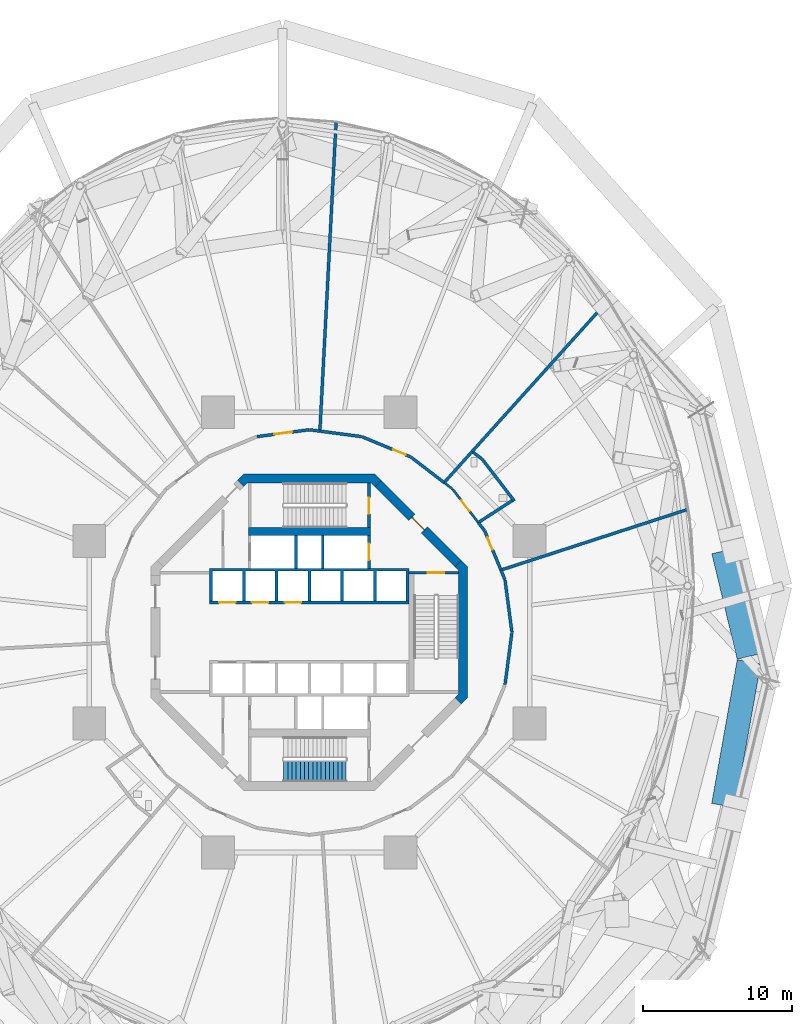
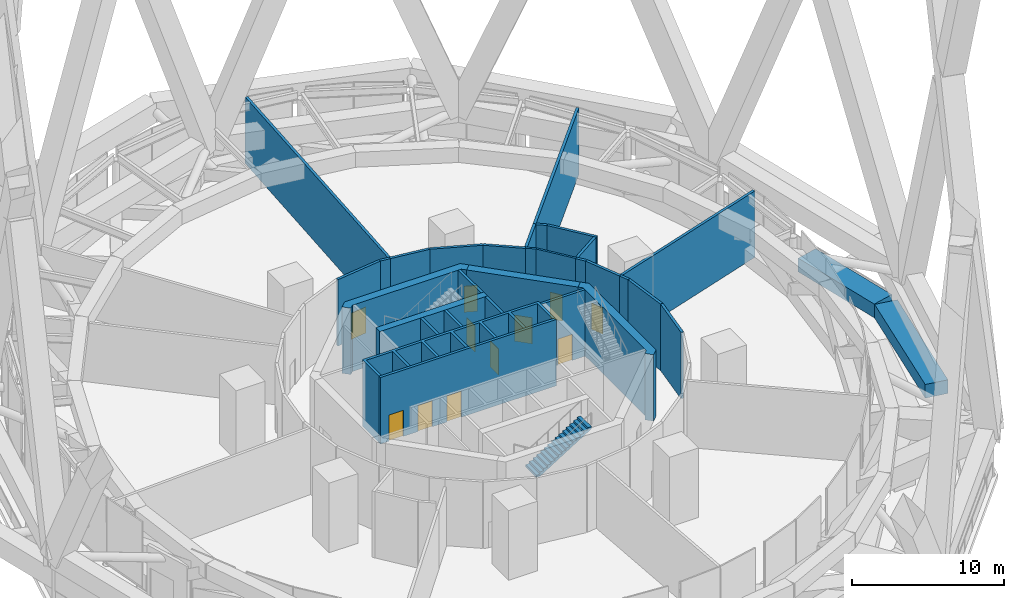
# One storey, part 55 of 65: 32 walls, 11 doors, 1 stair flight, 11 openings, 1 element without a shape of its own.
"""IFC4 building model written with IfcOpenShell, lengths in metres."""

from ifc_helpers import new_model, si_unit, direction, frame, frame_2d, origin, place, context, subcontext, project, spatial, polyline, rectangle, outline, extrude, material, layer, layer_set, type_object, element, fill, aggregate, save


model = new_model("IFC4")

# Units and contexts
model_context = context("Model", 3, precision=1e-05, world=origin(), true_north=direction((0.0, 1.0)))
body_context = subcontext(model_context, "Body", "Model", "MODEL_VIEW")
ifc_project = project(units=[si_unit("LENGTHUNIT", "METRE"), si_unit("AREAUNIT", "SQUARE_METRE"), si_unit("VOLUMEUNIT", "CUBIC_METRE"), si_unit("PLANEANGLEUNIT", "RADIAN"), si_unit("MASSUNIT", "GRAM", prefix="KILO")], contexts=[model_context])

# Site, building, storey
site_placement = place(None, origin())
site = spatial("IfcSite", under=ifc_project, at=site_placement, CompositionType="ELEMENT")
building_placement = place(site_placement, origin())
building = spatial("IfcBuilding", under=site, at=building_placement, Name="Nagisa Residences", CompositionType="ELEMENT")
storey_placement = place(building_placement, frame((0.0, 0.0, 114.0)))
storey = spatial("IfcBuildingStorey", under=building, at=storey_placement, Name="L28", CompositionType="ELEMENT", Elevation=114.0)

# Wall, opening, door
ifc_material_1 = material(Name="Concrete C60", Category="concrete")
ifc_layer_1 = layer(ifc_material_1, 0.60009765625)
ifc_layer_set_1 = layer_set([ifc_layer_1], Name="Core shear wall 600")
wall_type_1 = type_object("IfcWallType", Name="Core shear wall 600", PredefinedType="SHEAR", material=ifc_layer_set_1)
wall_1_placement = place(storey_placement, frame((9.98828125, 4.613037109375, 0.0), z_axis=(0.0, 0.0, 1.0), x_axis=(-0.707106781187, 0.707106781187, 0.0)))
wall_1 = element("IfcWall", 1, at=wall_1_placement, inside=storey, type_object=wall_type_1, Name="wall:L28:core:flat1", PredefinedType="SHEAR", context=body_context, shape_type="SweptSolid", body=[
    extrude(rectangle(XDim=7.601806640625, YDim=0.60009765625, at=frame_2d((3.80078125, 0.0))), origin(), (0.0, 0.0, 1.0), 5.340087890625),
])
opening_1_placement = place(wall_1_placement, frame((3.200927734375, 0.0, 0.0)))
opening_1 = element("IfcOpeningElement", 2, at=opening_1_placement, cuts=wall_1, Name="Opening L28-C15", PredefinedType="OPENING", context=body_context, shape_type="SweptSolid", body=[
    extrude(rectangle(XDim=1.199951171875, YDim=2.10009765625, at=frame_2d((0.60009765625, 1.050048828125))), frame((0.0, 0.31005859375, 0.0), z_axis=(0.0, -1.0, 0.0), x_axis=(1.0, 0.0, 0.0)), (0.0, 0.0, 1.0), 0.6201171875),
])
ifc_material_2 = material(Name="Steel fire door", Category="steel")
door_type_1 = type_object("IfcDoorType", Name="Fire door EI60 1200x2100 single swing", OperationType="NOTDEFINED", PredefinedType="DOOR", material=ifc_material_2)
door_1_placement = place(opening_1_placement, origin())
door_1 = element("IfcDoor", 3, at=door_1_placement, inside=storey, type_object=door_type_1, Name="Firefighting lobby 1 door L28", OperationType="SINGLE_SWING_RIGHT", OverallHeight=2.10009765625, OverallWidth=1.199951171875, PredefinedType="DOOR", context=body_context, shape_type="SweptSolid", body=[
    extrude(rectangle(XDim=1.199951171875, YDim=2.10009765625, at=frame_2d((0.60009765625, 1.050048828125))), frame((0.0, 0.02490234375, 0.0), z_axis=(0.0, -1.0, 0.0), x_axis=(1.0, 0.0, 0.0)), (0.0, 0.0, 1.0), 0.050048828125),
])
fill(opening_1, door_1)

# Walls
wall_2_placement = place(storey_placement, origin())
element("IfcWall", 4, at=wall_2_placement, inside=storey, type_object=wall_type_1, Name="wall:L28:core:flat2", PredefinedType="SHEAR", context=body_context, shape_type="SweptSolid", body=[
    extrude(outline(polyline([(-4.15234375, 10.024658203125), (-4.40087890625, 9.776123046875), (-4.8251953125, 10.200439453125), (-4.40087890625, 10.62451171875), (4.40087890625, 10.62451171875), (4.8251953125, 10.200439453125), (4.40087890625, 9.776123046875), (4.15234375, 10.024658203125), (-4.15234375, 10.024658203125)])), origin(), (0.0, 0.0, 1.0), 5.340087890625),
])
wall_3_placement = place(storey_placement, origin())
element("IfcWall", 5, at=wall_3_placement, inside=storey, type_object=wall_type_1, Name="wall:L28:core:flat0", PredefinedType="SHEAR", context=body_context, shape_type="SweptSolid", body=[
    extrude(outline(polyline([(9.776123046875, -4.40087890625), (10.024658203125, -4.15234375), (10.024658203125, -3.801025390625), (10.024658203125, 4.15234375), (9.776123046875, 4.40087890625), (10.200439453125, 4.8251953125), (10.62451171875, 4.40087890625), (10.62451171875, -4.40087890625), (10.200439453125, -4.8251953125), (9.776123046875, -4.40087890625)])), origin(), (0.0, 0.0, 1.0), 5.340087890625),
])

# Wall, opening, door
ifc_material_3 = material(Name="Concrete C60", Category="concrete")
ifc_layer_2 = layer(ifc_material_3, 0.199951171875)
ifc_layer_set_2 = layer_set([ifc_layer_2], Name="Lift shaft wall 200")
wall_type_2 = type_object("IfcWallType", Name="Lift shaft wall 200", PredefinedType="SOLIDWALL", material=ifc_layer_set_2)
wall_4_placement = place(storey_placement, frame((4.0, 4.300048828125, 0.0), z_axis=(0.0, 0.0, 1.0), x_axis=(0.0, 1.0, 0.0)))
wall_4 = element("IfcWall", 6, at=wall_4_placement, inside=storey, type_object=wall_type_2, Name="wall:L28:Nb3", PredefinedType="SOLIDWALL", context=body_context, shape_type="SweptSolid", body=[
    extrude(rectangle(XDim=2.199951171875, YDim=0.199951171875, at=frame_2d((1.10009765625, 0.0))), origin(), (0.0, 0.0, 1.0), 5.340087890625),
])
opening_2_placement = place(wall_4_placement, frame((0.550048828125, 0.0, 0.0)))
opening_2 = element("IfcOpeningElement", 7, at=opening_2_placement, cuts=wall_4, Name="Opening L28-C06", PredefinedType="OPENING", context=body_context, shape_type="SweptSolid", body=[
    extrude(rectangle(XDim=1.10009765625, YDim=2.10009765625, at=frame_2d((0.550048828125, 1.050048828125))), frame((0.0, 0.10986328125, 0.0), z_axis=(0.0, -1.0, 0.0), x_axis=(1.0, 0.0, 0.0)), (0.0, 0.0, 1.0), 0.219970703125),
])
ifc_material_4 = material(Name="Stainless steel", Category="steel")
door_type_2 = type_object("IfcDoorType", Name="Lift landing door 1100x2100", OperationType="DOUBLE_DOOR_SLIDING", PredefinedType="DOOR", material=ifc_material_4)
door_2_placement = place(opening_2_placement, origin())
door_2 = element("IfcDoor", 8, at=door_2_placement, inside=storey, type_object=door_type_2, Name="Landing door FL1 L28", OperationType="DOUBLE_DOOR_SLIDING", OverallHeight=2.10009765625, OverallWidth=1.10009765625, PredefinedType="DOOR", context=body_context, shape_type="SweptSolid", body=[
    extrude(rectangle(XDim=1.10009765625, YDim=2.10009765625, at=frame_2d((0.550048828125, 1.050048828125))), frame((0.0, 0.02490234375, 0.0), z_axis=(0.0, -1.0, 0.0), x_axis=(1.0, 0.0, 0.0)), (0.0, 0.0, 1.0), 0.050048828125),
])
fill(opening_2, door_2)

# Wall, openings, doors
wall_5_placement = place(storey_placement, frame((-6.699951171875, 2.0, 0.0), z_axis=(0.0, 0.0, 1.0), x_axis=(1.0, 0.0, 0.0)))
wall_5 = element("IfcWall", 9, at=wall_5_placement, inside=storey, type_object=wall_type_2, Name="wall:L28:Nfront", PredefinedType="SOLIDWALL", context=body_context, shape_type="SweptSolid", body=[
    extrude(rectangle(XDim=13.39990234375, YDim=0.199951171875, at=frame_2d((6.699951171875, 0.0))), origin(), (0.0, 0.0, 1.0), 5.340087890625),
])
opening_3_placement = place(wall_5_placement, frame((0.64990234375, 0.0, 0.0)))
opening_3 = element("IfcOpeningElement", 10, at=opening_3_placement, cuts=wall_5, Name="Opening L28-C01", PredefinedType="OPENING", context=body_context, shape_type="SweptSolid", body=[
    extrude(rectangle(XDim=1.10009765625, YDim=2.10009765625, at=frame_2d((0.550048828125, 1.050048828125))), frame((0.0, 0.10986328125, 0.0), z_axis=(0.0, -1.0, 0.0), x_axis=(1.0, 0.0, 0.0)), (0.0, 0.0, 1.0), 0.219970703125),
])
opening_4_placement = place(wall_5_placement, frame((2.85009765625, 0.0, 0.0)))
opening_4 = element("IfcOpeningElement", 11, at=opening_4_placement, cuts=wall_5, Name="Opening L28-C02", PredefinedType="OPENING", context=body_context, shape_type="SweptSolid", body=[
    extrude(rectangle(XDim=1.10009765625, YDim=2.10009765625, at=frame_2d((0.550048828125, 1.050048828125))), frame((0.0, 0.10986328125, 0.0), z_axis=(0.0, -1.0, 0.0), x_axis=(1.0, 0.0, 0.0)), (0.0, 0.0, 1.0), 0.219970703125),
])
opening_5_placement = place(wall_5_placement, frame((5.050048828125, 0.0, 0.0)))
opening_5 = element("IfcOpeningElement", 12, at=opening_5_placement, cuts=wall_5, Name="Opening L28-C03", PredefinedType="OPENING", context=body_context, shape_type="SweptSolid", body=[
    extrude(rectangle(XDim=1.10009765625, YDim=2.10009765625, at=frame_2d((0.550048828125, 1.050048828125))), frame((0.0, 0.10986328125, 0.0), z_axis=(0.0, -1.0, 0.0), x_axis=(1.0, 0.0, 0.0)), (0.0, 0.0, 1.0), 0.219970703125),
])
door_3_placement = place(opening_3_placement, origin())
door_3 = element("IfcDoor", 13, at=door_3_placement, inside=storey, type_object=door_type_2, Name="Landing door A1 L28", OperationType="DOUBLE_DOOR_SLIDING", OverallHeight=2.10009765625, OverallWidth=1.10009765625, PredefinedType="DOOR", context=body_context, shape_type="SweptSolid", body=[
    extrude(rectangle(XDim=1.10009765625, YDim=2.10009765625, at=frame_2d((0.550048828125, 1.050048828125))), frame((0.0, 0.02490234375, 0.0), z_axis=(0.0, -1.0, 0.0), x_axis=(1.0, 0.0, 0.0)), (0.0, 0.0, 1.0), 0.050048828125),
])
fill(opening_3, door_3)
door_4_placement = place(opening_4_placement, origin())
door_4 = element("IfcDoor", 14, at=door_4_placement, inside=storey, type_object=door_type_2, Name="Landing door A2 L28", OperationType="DOUBLE_DOOR_SLIDING", OverallHeight=2.10009765625, OverallWidth=1.10009765625, PredefinedType="DOOR", context=body_context, shape_type="SweptSolid", body=[
    extrude(rectangle(XDim=1.10009765625, YDim=2.10009765625, at=frame_2d((0.550048828125, 1.050048828125))), frame((0.0, 0.02490234375, 0.0), z_axis=(0.0, -1.0, 0.0), x_axis=(1.0, 0.0, 0.0)), (0.0, 0.0, 1.0), 0.050048828125),
])
fill(opening_4, door_4)
door_5_placement = place(opening_5_placement, origin())
door_5 = element("IfcDoor", 15, at=door_5_placement, inside=storey, type_object=door_type_2, Name="Landing door A3 L28", OperationType="DOUBLE_DOOR_SLIDING", OverallHeight=2.10009765625, OverallWidth=1.10009765625, PredefinedType="DOOR", context=body_context, shape_type="SweptSolid", body=[
    extrude(rectangle(XDim=1.10009765625, YDim=2.10009765625, at=frame_2d((0.550048828125, 1.050048828125))), frame((0.0, 0.02490234375, 0.0), z_axis=(0.0, -1.0, 0.0), x_axis=(1.0, 0.0, 0.0)), (0.0, 0.0, 1.0), 0.050048828125),
])
fill(opening_5, door_5)

# Walls
for number, where, z_axis, x_axis, name in (
    (16, (-0.89990234375, 4.300048828125, 0.0), (0.0, 0.0, 1.0), (0.0, 1.0, 0.0), "wall:L28:Nb1"),
    (17, (0.89990234375, 4.300048828125, 0.0), (0.0, 0.0, 1.0), (0.0, 1.0, 0.0), "wall:L28:Nb2"),
):
    element("IfcWall", number, at=place(storey_placement, frame(where, z_axis=z_axis, x_axis=x_axis)), inside=storey, type_object=wall_type_2, Name=name, PredefinedType="SOLIDWALL", context=body_context, shape_type="SweptSolid", body=[
        extrude(rectangle(XDim=2.199951171875, YDim=0.199951171875, at=frame_2d((1.10009765625, 0.0))), origin(), (0.0, 0.0, 1.0), 5.340087890625),
    ])
wall_6_placement = place(storey_placement, origin())
element("IfcWall", 18, at=wall_6_placement, inside=storey, type_object=wall_type_2, Name="wall:L28:Nback", PredefinedType="SOLIDWALL", context=body_context, shape_type="SweptSolid", body=[
    extrude(outline(polyline([(-6.5, 2.10009765625), (-6.699951171875, 2.10009765625), (-6.699951171875, 4.300048828125), (6.699951171875, 4.300048828125), (6.699951171875, 2.10009765625), (6.5, 2.10009765625), (6.5, 4.10009765625), (4.5, 4.10009765625), (4.5, 2.10009765625), (4.300048828125, 2.10009765625), (4.300048828125, 4.10009765625), (2.300048828125, 4.10009765625), (2.300048828125, 2.10009765625), (2.10009765625, 2.10009765625), (2.10009765625, 4.10009765625), (0.10009765625, 4.10009765625), (0.10009765625, 2.10009765625), (-0.10009765625, 2.10009765625), (-0.10009765625, 4.10009765625), (-2.10009765625, 4.10009765625), (-2.10009765625, 2.10009765625), (-2.300048828125, 2.10009765625), (-2.300048828125, 4.10009765625), (-4.300048828125, 4.10009765625), (-4.300048828125, 2.10009765625), (-4.5, 2.10009765625), (-4.5, 4.10009765625), (-6.5, 4.10009765625), (-6.5, 2.10009765625)])), origin(), (0.0, 0.0, 1.0), 5.340087890625),
])
ifc_material_5 = material(Name="Precast concrete C30/37", Category="concrete")
ifc_layer_3 = layer(ifc_material_5, 1.60009765625)
ifc_layer_set_3 = layer_set([ifc_layer_3], Name="PLANTER")
wall_type_3 = type_object("IfcWallType", Name="PLANTER", PredefinedType="SOLIDWALL", material=ifc_layer_set_3)
wall_7_placement = place(storey_placement, frame((27.79833984375, 5.459716796875, 0.0), z_axis=(0.0, 0.0, 1.0), x_axis=(0.234079069097, -0.972217562797, 0.0)))
element("IfcWall", 19, at=wall_7_placement, inside=storey, type_object=wall_type_3, Name="planter:L28:deck017", PredefinedType="SOLIDWALL", context=body_context, shape_type="SweptSolid", body=[
    extrude(rectangle(XDim=7.283203125, YDim=1.60009765625, at=frame_2d((3.6416015625, 0.0))), origin(), (0.0, 0.0, 1.0), 1.10009765625),
])
wall_8_placement = place(storey_placement, frame((29.514404296875, -1.98779296875, 0.0), z_axis=(0.0, 0.0, 1.0), x_axis=(-0.175200973349, -0.984532690639, 0.0)))
element("IfcWall", 20, at=wall_8_placement, inside=storey, type_object=wall_type_3, Name="planter:L28:deck018", PredefinedType="SOLIDWALL", context=body_context, shape_type="SweptSolid", body=[
    extrude(rectangle(XDim=9.787841796875, YDim=1.60009765625, at=frame_2d((4.89404296875, 0.0))), origin(), (0.0, 0.0, 1.0), 1.10009765625),
])

# Wall, opening, door
ifc_material_6 = material(Name="Gypsum board on steel studs", Category="steel")
ifc_layer_4 = layer(ifc_material_6, 0.199951171875)
ifc_layer_set_4 = layer_set([ifc_layer_4], Name="Plant room wall EI120 200")
wall_type_4 = type_object("IfcWallType", Name="Plant room wall EI120 200", PredefinedType="PARTITIONING", material=ifc_layer_set_4)
wall_9_placement = place(storey_placement, frame((-3.5048828125, 13.138671875, 0.0), z_axis=(0.0, 0.0, 1.0), x_axis=(0.991452406768, 0.130468866457, 0.0)))
wall_9 = element("IfcWall", 21, at=wall_9_placement, inside=storey, type_object=wall_type_4, Name="wall:L28:am025", PredefinedType="PARTITIONING", context=body_context, shape_type="SweptSolid", body=[
    extrude(rectangle(XDim=3.519775390625, YDim=0.199951171875, at=frame_2d((1.759765625, 0.0))), origin(), (0.0, 0.0, 1.0), 5.340087890625),
])
opening_6_placement = place(wall_9_placement, frame((1.159912109375, 0.0, 0.0)))
opening_6 = element("IfcOpeningElement", 22, at=opening_6_placement, cuts=wall_9, Name="Opening L28-A04", PredefinedType="OPENING", context=body_context, shape_type="SweptSolid", body=[
    extrude(rectangle(XDim=1.199951171875, YDim=2.10009765625, at=frame_2d((0.60009765625, 1.050048828125))), frame((0.0, 0.10986328125, 0.0), z_axis=(0.0, -1.0, 0.0), x_axis=(1.0, 0.0, 0.0)), (0.0, 0.0, 1.0), 0.219970703125),
])
ifc_material_7 = material(Name="Steel fire door", Category="steel")
door_type_3 = type_object("IfcDoorType", Name="Fire door EI120 1200x2100 single swing", OperationType="NOTDEFINED", PredefinedType="DOOR", material=ifc_material_7)
door_6_placement = place(opening_6_placement, frame((1.199951171875, 0.0, 0.0), x_axis=(-1.0, 0.0, 0.0)))
door_6 = element("IfcDoor", 23, at=door_6_placement, inside=storey, type_object=door_type_3, Name="Refuge room 2 door", OperationType="SINGLE_SWING_LEFT", OverallHeight=2.10009765625, OverallWidth=1.199951171875, PredefinedType="DOOR", context=body_context, shape_type="SweptSolid", body=[
    extrude(rectangle(XDim=1.199951171875, YDim=2.10009765625, at=frame_2d((0.60009765625, 1.050048828125))), frame((0.0, 0.02490234375, 0.0), z_axis=(0.0, -1.0, 0.0), x_axis=(1.0, 0.0, 0.0)), (0.0, 0.0, 1.0), 0.050048828125),
])
fill(opening_6, door_6)

# Walls
wall_10_placement = place(storey_placement, frame((0.01513671875, 13.597900390625, 0.0), z_axis=(0.0, 0.0, 1.0), x_axis=(0.991473310532, -0.130309917135, 0.0)))
element("IfcWall", 24, at=wall_10_placement, inside=storey, type_object=wall_type_4, Name="wall:L28:am027", PredefinedType="PARTITIONING", context=body_context, shape_type="SweptSolid", body=[
    extrude(rectangle(XDim=0.69873046875, YDim=0.199951171875, at=frame_2d((0.349365234375, 0.0))), origin(), (0.0, 0.0, 1.0), 5.340087890625),
])
wall_11_placement = place(storey_placement, frame((0.713134765625, 13.60693359375, 0.0), z_axis=(0.0, 0.0, 1.0), x_axis=(0.05234202654, 0.998629216605, 0.0)))
element("IfcWall", 25, at=wall_11_placement, inside=storey, type_object=wall_type_4, Name="wall:L28:am028", PredefinedType="PARTITIONING", context=body_context, shape_type="SweptSolid", body=[
    extrude(rectangle(XDim=20.686279296875, YDim=0.199951171875, at=frame_2d((10.34326171875, 0.0))), origin(), (0.0, 0.0, 1.0), 5.340087890625),
])
wall_12_placement = place(storey_placement, frame((0.7080078125, 13.5068359375, 0.0), z_axis=(0.0, 0.0, 1.0), x_axis=(0.991447224467, -0.130508241489, 0.0)))
element("IfcWall", 26, at=wall_12_placement, inside=storey, type_object=wall_type_4, Name="wall:L28:am029", PredefinedType="PARTITIONING", context=body_context, shape_type="SweptSolid", body=[
    extrude(rectangle(XDim=2.821044921875, YDim=0.199951171875, at=frame_2d((1.41064453125, 0.0))), origin(), (0.0, 0.0, 1.0), 5.340087890625),
])

# Wall, opening, door
wall_13_placement = place(storey_placement, frame((3.533935546875, 13.130859375, 0.0), z_axis=(0.0, 0.0, 1.0), x_axis=(0.92386297064, -0.382723413813, 0.0)))
wall_13 = element("IfcWall", 27, at=wall_13_placement, inside=storey, type_object=wall_type_4, Name="wall:L28:am033", PredefinedType="PARTITIONING", context=body_context, shape_type="SweptSolid", body=[
    extrude(rectangle(XDim=3.52001953125, YDim=0.199951171875, at=frame_2d((1.760009765625, 0.0))), origin(), (0.0, 0.0, 1.0), 5.340087890625),
])
opening_7_placement = place(wall_13_placement, frame((2.277587890625, 0.0, 0.0)))
opening_7 = element("IfcOpeningElement", 28, at=opening_7_placement, cuts=wall_13, Name="Opening L28-A03", PredefinedType="OPENING", context=body_context, shape_type="SweptSolid", body=[
    extrude(rectangle(XDim=0.89990234375, YDim=2.10009765625, at=frame_2d((0.449951171875, 1.050048828125))), frame((0.0, 0.10986328125, 0.0), z_axis=(0.0, -1.0, 0.0), x_axis=(1.0, 0.0, 0.0)), (0.0, 0.0, 1.0), 0.219970703125),
])
ifc_material_8 = material(Name="Steel fire door", Category="steel")
door_type_4 = type_object("IfcDoorType", Name="Fire door EI120 900x2100 single swing", OperationType="NOTDEFINED", PredefinedType="DOOR", material=ifc_material_8)
door_7_placement = place(opening_7_placement, origin())
door_7 = element("IfcDoor", 29, at=door_7_placement, inside=storey, type_object=door_type_4, Name="Smoke control plant room door", OperationType="SINGLE_SWING_LEFT", OverallHeight=2.10009765625, OverallWidth=0.89990234375, PredefinedType="DOOR", context=body_context, shape_type="SweptSolid", body=[
    extrude(rectangle(XDim=0.89990234375, YDim=2.10009765625, at=frame_2d((0.449951171875, 1.050048828125))), frame((0.0, 0.02490234375, 0.0), z_axis=(0.0, -1.0, 0.0), x_axis=(1.0, 0.0, 0.0)), (0.0, 0.0, 1.0), 0.050048828125),
])
fill(opening_7, door_7)

# Walls
wall_14_placement = place(storey_placement, frame((6.81201171875, 11.7685546875, 0.0), z_axis=(0.0, 0.0, 1.0), x_axis=(0.793389024662, -0.608714921409, 0.0)))
element("IfcWall", 30, at=wall_14_placement, inside=storey, type_object=wall_type_4, Name="wall:L28:am035", PredefinedType="PARTITIONING", context=body_context, shape_type="SweptSolid", body=[
    extrude(rectangle(XDim=2.821044921875, YDim=0.199951171875, at=frame_2d((1.41064453125, 0.0))), origin(), (0.0, 0.0, 1.0), 5.340087890625),
])
wall_15_placement = place(storey_placement, frame((9.117431640625, 10.125732421875, 0.0), z_axis=(0.0, 0.0, 1.0), x_axis=(0.669134044303, 0.743141729925, 0.0)))
element("IfcWall", 31, at=wall_15_placement, inside=storey, type_object=wall_type_4, Name="wall:L28:am036", PredefinedType="PARTITIONING", context=body_context, shape_type="SweptSolid", body=[
    extrude(rectangle(XDim=2.708251953125, YDim=0.199951171875, at=frame_2d((1.35400390625, 0.0))), origin(), (0.0, 0.0, 1.0), 5.340087890625),
])
wall_16_placement = place(storey_placement, frame((11.00927734375, 12.077392578125, 0.0), z_axis=(0.0, 0.0, 1.0), x_axis=(0.793279942729, -0.608857070636, 0.0)))
element("IfcWall", 32, at=wall_16_placement, inside=storey, type_object=wall_type_4, Name="wall:L28:am040", PredefinedType="PARTITIONING", context=body_context, shape_type="SweptSolid", body=[
    extrude(rectangle(XDim=0.74658203125, YDim=0.199951171875, at=frame_2d((0.373291015625, 0.0))), origin(), (0.0, 0.0, 1.0), 5.340087890625),
])
wall_17_placement = place(storey_placement, frame((10.9296875, 12.138427734375, 0.0), z_axis=(0.0, 0.0, 1.0), x_axis=(0.669115860496, 0.743158102447, 0.0)))
element("IfcWall", 33, at=wall_17_placement, inside=storey, type_object=wall_type_4, Name="wall:L28:am041", PredefinedType="PARTITIONING", context=body_context, shape_type="SweptSolid", body=[
    extrude(rectangle(XDim=13.654296875, YDim=0.199951171875, at=frame_2d((6.8271484375, 0.0))), origin(), (0.0, 0.0, 1.0), 5.340087890625),
])
wall_18_placement = place(storey_placement, frame((11.34326171875, 7.366455078125, 0.0), z_axis=(0.0, 0.0, 1.0), x_axis=(0.608629566887, -0.793454504248, 0.0)))
element("IfcWall", 34, at=wall_18_placement, inside=storey, type_object=wall_type_4, Name="wall:L28:am042", PredefinedType="PARTITIONING", context=body_context, shape_type="SweptSolid", body=[
    extrude(rectangle(XDim=0.69873046875, YDim=0.199951171875, at=frame_2d((0.349365234375, 0.0))), origin(), (0.0, 0.0, 1.0), 5.340087890625),
])
wall_19_placement = place(storey_placement, frame((11.622802734375, 11.6015625, 0.0), z_axis=(0.0, 0.0, 1.0), x_axis=(0.608732263815, -0.79337571868, 0.0)))
element("IfcWall", 35, at=wall_19_placement, inside=storey, type_object=wall_type_4, Name="wall:L28:am043", PredefinedType="PARTITIONING", context=body_context, shape_type="SweptSolid", body=[
    extrude(rectangle(XDim=3.510498046875, YDim=0.199951171875, at=frame_2d((1.75537109375, 0.0))), origin(), (0.0, 0.0, 1.0), 5.340087890625),
])

# Wall, opening, door
wall_20_placement = place(storey_placement, frame((11.78369140625, 6.785888671875, 0.0), z_axis=(0.0, 0.0, 1.0), x_axis=(0.382703393834, -0.923871263948, 0.0)))
wall_20 = element("IfcWall", 36, at=wall_20_placement, inside=storey, type_object=wall_type_4, Name="wall:L28:am045", PredefinedType="PARTITIONING", context=body_context, shape_type="SweptSolid", body=[
    extrude(rectangle(XDim=2.821044921875, YDim=0.199951171875, at=frame_2d((1.41064453125, 0.0))), origin(), (0.0, 0.0, 1.0), 5.340087890625),
])
opening_8_placement = place(wall_20_placement, frame((0.4501953125, 0.0, 0.0)))
opening_8 = element("IfcOpeningElement", 37, at=opening_8_placement, cuts=wall_20, Name="Opening L28-A02", PredefinedType="OPENING", context=body_context, shape_type="SweptSolid", body=[
    extrude(rectangle(XDim=0.89990234375, YDim=2.10009765625, at=frame_2d((0.449951171875, 1.050048828125))), frame((0.0, 0.10986328125, 0.0), z_axis=(0.0, -1.0, 0.0), x_axis=(1.0, 0.0, 0.0)), (0.0, 0.0, 1.0), 0.219970703125),
])
door_8_placement = place(opening_8_placement, frame((0.89990234375, 0.0, 0.0), x_axis=(-1.0, 0.0, 0.0)))
door_8 = element("IfcDoor", 38, at=door_8_placement, inside=storey, type_object=door_type_4, Name="Refuge room 1 door", OperationType="SINGLE_SWING_LEFT", OverallHeight=2.10009765625, OverallWidth=0.89990234375, PredefinedType="DOOR", context=body_context, shape_type="SweptSolid", body=[
    extrude(rectangle(XDim=0.89990234375, YDim=2.10009765625, at=frame_2d((0.449951171875, 1.050048828125))), frame((0.0, 0.02490234375, 0.0), z_axis=(0.0, -1.0, 0.0), x_axis=(1.0, 0.0, 0.0)), (0.0, 0.0, 1.0), 0.050048828125),
])
fill(opening_8, door_8)

# Walls
wall_21_placement = place(storey_placement, frame((12.86328125, 4.1796875, 0.0), z_axis=(0.0, 0.0, 1.0), x_axis=(0.382804207305, -0.923829496644, 0.0)))
element("IfcWall", 39, at=wall_21_placement, inside=storey, type_object=wall_type_4, Name="wall:L28:am046", PredefinedType="PARTITIONING", context=body_context, shape_type="SweptSolid", body=[
    extrude(rectangle(XDim=0.698974609375, YDim=0.199951171875, at=frame_2d((0.349609375, 0.0))), origin(), (0.0, 0.0, 1.0), 5.340087890625),
])
for number, where, z_axis, x_axis, name in (
    (40, (13.138671875, 3.5048828125, 0.0), (0.0, 0.0, 1.0), (0.130468866457, -0.991452406768, 0.0), "wall:L28:am048"),
    (41, (13.597900390625, -0.01513671875, 0.0), (0.0, 0.0, 1.0), (-0.130468866457, -0.991452406768, 0.0), "wall:L28:am049"),
):
    element("IfcWall", number, at=place(storey_placement, frame(where, z_axis=z_axis, x_axis=x_axis)), inside=storey, type_object=wall_type_4, Name=name, PredefinedType="PARTITIONING", context=body_context, shape_type="SweptSolid", body=[
        extrude(rectangle(XDim=3.519775390625, YDim=0.199951171875, at=frame_2d((1.759765625, 0.0))), origin(), (0.0, 0.0, 1.0), 5.340087890625),
    ])
wall_22_placement = place(storey_placement, frame((13.61474609375, 8.841552734375, 0.0), z_axis=(0.0, 0.0, 1.0), x_axis=(-0.838672390671, -0.544636228254, 0.0)))
element("IfcWall", 42, at=wall_22_placement, inside=storey, type_object=wall_type_4, Name="wall:L28:am050", PredefinedType="PARTITIONING", context=body_context, shape_type="SweptSolid", body=[
    extrude(rectangle(XDim=2.60791015625, YDim=0.199951171875, at=frame_2d((1.303955078125, 0.0))), origin(), (0.0, 0.0, 1.0), 5.340087890625),
])
wall_23_placement = place(storey_placement, frame((25.379150390625, 8.24609375, 0.0), z_axis=(0.0, 0.0, 1.0), x_axis=(-0.951061815969, -0.309000683181, 0.0)))
element("IfcWall", 43, at=wall_23_placement, inside=storey, type_object=wall_type_4, Name="wall:L28:am051", PredefinedType="PARTITIONING", context=body_context, shape_type="SweptSolid", body=[
    extrude(rectangle(XDim=13.0595703125, YDim=0.199951171875, at=frame_2d((6.52978515625, 0.0))), origin(), (0.0, 0.0, 1.0), 5.340087890625),
])
ifc_material_9 = material(Name="Gypsum board on steel studs", Category="steel")
ifc_layer_5 = layer(ifc_material_9, 0.14990234375)
ifc_layer_set_5 = layer_set([ifc_layer_5], Name="Room partition EI60 150")
wall_type_5 = type_object("IfcWallType", Name="Room partition EI60 150", PredefinedType="PARTITIONING", material=ifc_layer_set_5)
wall_24_placement = place(storey_placement, frame((9.05029296875, 10.05126953125, 0.0), z_axis=(0.0, 0.0, 1.0), x_axis=(0.793399175387, -0.608701690893, 0.0)))
element("IfcWall", 44, at=wall_24_placement, inside=storey, type_object=wall_type_5, Name="wall:L28:am002", PredefinedType="PARTITIONING", context=body_context, shape_type="SweptSolid", body=[
    extrude(rectangle(XDim=0.701904296875, YDim=0.14990234375, at=frame_2d((0.35107421875, 0.0))), origin(), (0.0, 0.0, 1.0), 5.340087890625),
])

# Wall, opening, door
wall_25_placement = place(storey_placement, frame((9.6240234375, 9.607177734375, 0.0), z_axis=(0.0, 0.0, 1.0), x_axis=(0.608732750311, -0.793375345407, 0.0)))
wall_25 = element("IfcWall", 45, at=wall_25_placement, inside=storey, type_object=wall_type_5, Name="wall:L28:am003", PredefinedType="PARTITIONING", context=body_context, shape_type="SweptSolid", body=[
    extrude(rectangle(XDim=2.82421875, YDim=0.14990234375, at=frame_2d((1.412109375, 0.0))), origin(), (0.0, 0.0, 1.0), 5.340087890625),
])
opening_9_placement = place(wall_25_placement, frame((0.956298828125, 0.0, 0.0)))
opening_9 = element("IfcOpeningElement", 46, at=opening_9_placement, cuts=wall_25, Name="Opening L28-A01", PredefinedType="OPENING", context=body_context, shape_type="SweptSolid", body=[
    extrude(rectangle(XDim=0.89990234375, YDim=2.10009765625, at=frame_2d((0.449951171875, 1.050048828125))), frame((0.0, 0.0849609375, 0.0), z_axis=(0.0, -1.0, 0.0), x_axis=(1.0, 0.0, 0.0)), (0.0, 0.0, 1.0), 0.169921875),
])
ifc_material_10 = material(Name="Steel fire door", Category="steel")
door_type_5 = type_object("IfcDoorType", Name="Fire door EI30 900x2100 single swing", OperationType="NOTDEFINED", PredefinedType="DOOR", material=ifc_material_10)
door_9_placement = place(opening_9_placement, origin())
door_9 = element("IfcDoor", 47, at=door_9_placement, inside=storey, type_object=door_type_5, Name="Refuge WC door", OperationType="SINGLE_SWING_LEFT", OverallHeight=2.10009765625, OverallWidth=0.89990234375, PredefinedType="DOOR", context=body_context, shape_type="SweptSolid", body=[
    extrude(rectangle(XDim=0.89990234375, YDim=2.10009765625, at=frame_2d((0.449951171875, 1.050048828125))), frame((0.0, 0.02490234375, 0.0), z_axis=(0.0, -1.0, 0.0), x_axis=(1.0, 0.0, 0.0)), (0.0, 0.0, 1.0), 0.050048828125),
])
fill(opening_9, door_9)

ifc_material_11 = material(Name="Concrete C60", Category="concrete")
ifc_layer_6 = layer(ifc_material_11, 0.199951171875)
ifc_layer_set_6 = layer_set([ifc_layer_6], Name="Stair enclosure wall 200")
wall_type_6 = type_object("IfcWallType", Name="Stair enclosure wall 200", PredefinedType="SOLIDWALL", material=ifc_layer_set_6)
wall_26_placement = place(storey_placement, frame((6.699951171875, 4.0, 0.0), z_axis=(0.0, 0.0, 1.0), x_axis=(1.0, 0.0, 0.0)))
wall_26 = element("IfcWall", 48, at=wall_26_placement, inside=storey, type_object=wall_type_6, Name="wall:L28:SE_n", PredefinedType="SOLIDWALL", context=body_context, shape_type="SweptSolid", body=[
    extrude(rectangle(XDim=3.32470703125, YDim=0.199951171875, at=frame_2d((1.662353515625, 0.0))), origin(), (0.0, 0.0, 1.0), 5.340087890625),
])
opening_10_placement = place(wall_26_placement, frame((1.25, 0.0, 0.0)))
opening_10 = element("IfcOpeningElement", 49, at=opening_10_placement, cuts=wall_26, Name="Opening L28-C09", PredefinedType="OPENING", context=body_context, shape_type="SweptSolid", body=[
    extrude(rectangle(XDim=1.10009765625, YDim=2.10009765625, at=frame_2d((0.550048828125, 1.050048828125))), frame((0.0, 0.10986328125, 0.0), z_axis=(0.0, -1.0, 0.0), x_axis=(1.0, 0.0, 0.0)), (0.0, 0.0, 1.0), 0.219970703125),
])
ifc_material_12 = material(Name="Steel fire door", Category="steel")
door_type_6 = type_object("IfcDoorType", Name="Fire door EI90 1100x2100 single swing", OperationType="NOTDEFINED", PredefinedType="DOOR", material=ifc_material_12)
door_10_placement = place(opening_10_placement, frame((1.10009765625, 0.0, 0.0), x_axis=(-1.0, 0.0, 0.0)))
door_10 = element("IfcDoor", 50, at=door_10_placement, inside=storey, type_object=door_type_6, Name="Stair door ST-E L28", OperationType="SINGLE_SWING_RIGHT", OverallHeight=2.10009765625, OverallWidth=1.10009765625, PredefinedType="DOOR", context=body_context, shape_type="SweptSolid", body=[
    extrude(rectangle(XDim=1.10009765625, YDim=2.10009765625, at=frame_2d((0.550048828125, 1.050048828125))), frame((0.0, 0.02490234375, 0.0), z_axis=(0.0, -1.0, 0.0), x_axis=(1.0, 0.0, 0.0)), (0.0, 0.0, 1.0), 0.050048828125),
])
fill(opening_10, door_10)

wall_27_placement = place(storey_placement, frame((4.0, 7.024658203125, 0.0), z_axis=(0.0, 0.0, 1.0), x_axis=(0.0, 1.0, 0.0)))
wall_27 = element("IfcWall", 51, at=wall_27_placement, inside=storey, type_object=wall_type_6, Name="wall:L28:SN_e", PredefinedType="SOLIDWALL", context=body_context, shape_type="SweptSolid", body=[
    extrude(rectangle(XDim=3.0, YDim=0.199951171875, at=frame_2d((1.5, 0.0))), origin(), (0.0, 0.0, 1.0), 5.340087890625),
])
opening_11_placement = place(wall_27_placement, frame((0.92529296875, 0.0, 0.0)))
opening_11 = element("IfcOpeningElement", 52, at=opening_11_placement, cuts=wall_27, Name="Opening L28-C10", PredefinedType="OPENING", context=body_context, shape_type="SweptSolid", body=[
    extrude(rectangle(XDim=1.10009765625, YDim=2.10009765625, at=frame_2d((0.550048828125, 1.050048828125))), frame((0.0, 0.10986328125, 0.0), z_axis=(0.0, -1.0, 0.0), x_axis=(1.0, 0.0, 0.0)), (0.0, 0.0, 1.0), 0.219970703125),
])
door_11_placement = place(opening_11_placement, origin())
door_11 = element("IfcDoor", 53, at=door_11_placement, inside=storey, type_object=door_type_6, Name="Stair door ST-N L28", OperationType="SINGLE_SWING_LEFT", OverallHeight=2.10009765625, OverallWidth=1.10009765625, PredefinedType="DOOR", context=body_context, shape_type="SweptSolid", body=[
    extrude(rectangle(XDim=1.10009765625, YDim=2.10009765625, at=frame_2d((0.550048828125, 1.050048828125))), frame((0.0, 0.02490234375, 0.0), z_axis=(0.0, -1.0, 0.0), x_axis=(1.0, 0.0, 0.0)), (0.0, 0.0, 1.0), 0.050048828125),
])
fill(opening_11, door_11)

# Wall
wall_28_placement = place(storey_placement, origin())
element("IfcWall", 54, at=wall_28_placement, inside=storey, type_object=wall_type_6, Name="wall:L28:SN_s", PredefinedType="SOLIDWALL", context=body_context, shape_type="SweptSolid", body=[
    extrude(outline(polyline([(4.10009765625, 6.5), (-4.10009765625, 6.5), (-4.10009765625, 7.024658203125), (4.10009765625, 7.024658203125), (4.10009765625, 6.5)])), origin(), (0.0, 0.0, 1.0), 5.340087890625),
])

# Stair, stair flight
ifc_material_13 = material(Name="Concrete C60", Category="concrete")
stair_type = type_object("IfcStairType", Name="Exit stair", PredefinedType="HALF_TURN_STAIR", material=ifc_material_13)
stair_placement = place(storey_placement, origin())
stair = element("IfcStair", 55, at=stair_placement, inside=storey, type_object=stair_type, Name="L28 Exit stair S", PredefinedType="HALF_TURN_STAIR")
ifc_material_14 = material(Name="Concrete C60", Category="concrete")
stair_flight_type = type_object("IfcStairFlightType", Name="Exit stair flight", PredefinedType="STRAIGHT", material=ifc_material_14)
stair_flight_placement = place(storey_placement, frame((-1.72509765625, -9.31201171875, 2.800048828125), z_axis=(0.0, 0.0, 1.0), x_axis=(1.0, 0.0, 0.0)))
stair_flight = element("IfcStairFlight", 56, at=stair_flight_placement, type_object=stair_flight_type, Name="ST-S flight 2", NumberOfRisers=16, NumberOfTreads=15, PredefinedType="STRAIGHT", RiserHeight=0.175, TreadLength=0.28, context=body_context, shape_type="SweptSolid", body=[
    extrude(outline(polyline([(0.0, 0.0), (0.0, 0.175048828125), (0.280029296875, 0.175048828125), (0.280029296875, 0.35009765625), (0.56005859375, 0.35009765625), (0.56005859375, 0.52490234375), (0.840087890625, 0.52490234375), (0.840087890625, 0.699951171875), (1.1201171875, 0.699951171875), (1.1201171875, 0.875), (1.39990234375, 0.875), (1.39990234375, 1.050048828125), (1.679931640625, 1.050048828125), (1.679931640625, 1.22509765625), (1.9599609375, 1.22509765625), (1.9599609375, 1.39990234375), (2.239990234375, 1.39990234375), (2.239990234375, 1.574951171875), (2.52001953125, 1.574951171875), (2.52001953125, 1.75), (2.800048828125, 1.75), (2.800048828125, 1.925048828125), (3.080078125, 1.925048828125), (3.080078125, 2.10009765625), (3.360107421875, 2.10009765625), (3.360107421875, 2.27490234375), (3.639892578125, 2.27490234375), (3.639892578125, 2.449951171875), (3.919921875, 2.449951171875), (3.919921875, 2.625), (4.199951171875, 2.625), (4.199951171875, 2.800048828125), (4.199951171875, 2.4482421875), (0.28271484375, 0.0), (0.0, 0.0)])), frame((0.0, 0.71240234375, 0.0), z_axis=(0.0, -1.0, 0.0), x_axis=(1.0, 0.0, 0.0)), (0.0, 0.0, 1.0), 1.425048828125),
])
aggregate(stair, [stair_flight])

save(model, "model.ifc")
